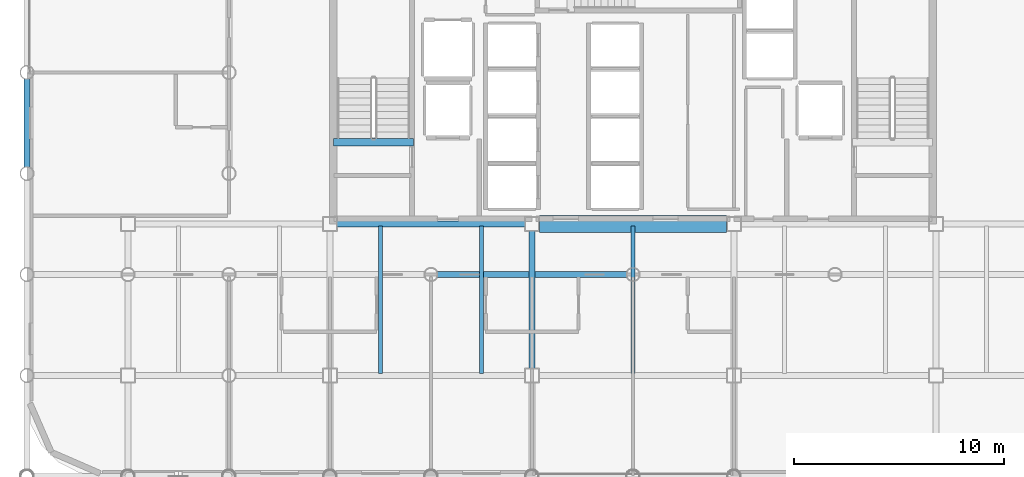
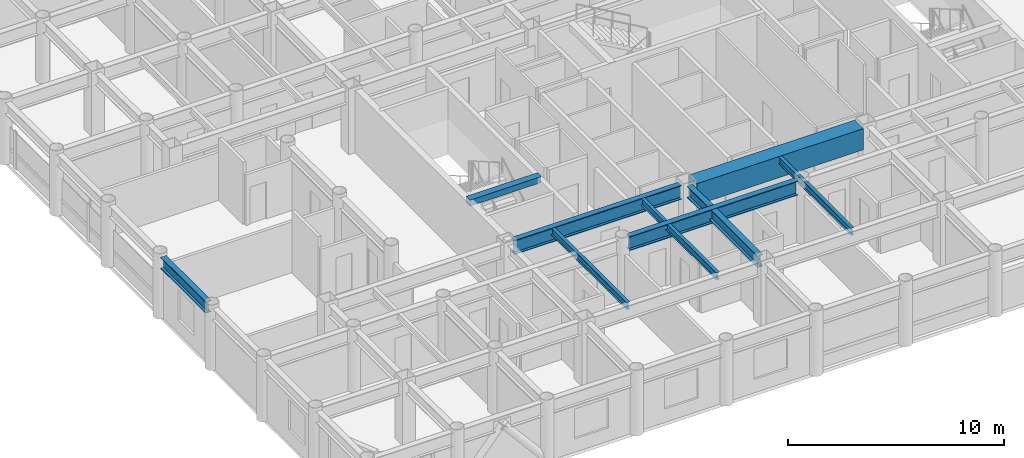
# One storey, part 3 of 22: 9 beams.
"""IFC4 building model written with IfcOpenShell, lengths in metres."""

from ifc_helpers import new_model, si_unit, direction, frame, origin, origin_2d, place, context, subcontext, project, spatial, rectangle, i_section, extrude, material, material_profile, profile_set, type_object, element, save


model = new_model("IFC4")

# Units and contexts
model_context = context("Model", 3, precision=1e-05, world=origin(), true_north=direction((0.0, 1.0)))
body_context = subcontext(model_context, "Body", "Model", "MODEL_VIEW")
ifc_project = project(units=[si_unit("LENGTHUNIT", "METRE"), si_unit("AREAUNIT", "SQUARE_METRE"), si_unit("VOLUMEUNIT", "CUBIC_METRE"), si_unit("PLANEANGLEUNIT", "RADIAN"), si_unit("MASSUNIT", "GRAM", prefix="KILO")], contexts=[model_context])

# Site, building, storey
site_placement = place(None, origin())
site = spatial("IfcSite", under=ifc_project, at=site_placement, CompositionType="ELEMENT")
building_placement = place(site_placement, origin())
building = spatial("IfcBuilding", under=site, at=building_placement, Name="Kallvorn Hotel Tower", CompositionType="ELEMENT")
storey_placement = place(building_placement, frame((0.0, 0.0, 113.699951171875)))
storey = spatial("IfcBuildingStorey", under=building, at=storey_placement, Name="L27", CompositionType="ELEMENT", Elevation=113.699951171875)

# Beams
ifc_material_1 = material(Name="Structural steel S355JR", Category="steel")
ifc_material_profile_1 = material_profile(ifc_material_1, i_section(OverallWidth=0.300048828125, OverallDepth=0.64990234375, WebThickness=0.01611328125, FlangeThickness=0.031005859375, at=origin_2d()), Name="HE 650 B")
ifc_profile_set_1 = profile_set([ifc_material_profile_1], Name="Structural steel S355JR")
beam_type_1 = type_object("IfcBeamType", Name="BM_HE650B", PredefinedType="BEAM", material=ifc_profile_set_1)
beam_1_placement = place(storey_placement, frame((-28.800048828125, -4.4951171875, 3.195068359375), z_axis=(0.0, 1.0, 0.0), x_axis=(-1.0, 0.0, 0.0)))
element("IfcBeam", 1, at=beam_1_placement, inside=storey, type_object=beam_type_1, Name="L28 Primary Y-Girder 76", PredefinedType="BEAM", context=body_context, shape_type="SweptSolid", body=[
    extrude(i_section(OverallWidth=0.300048828125, OverallDepth=0.64990234375, WebThickness=0.01611328125, FlangeThickness=0.031005859375, at=origin_2d()), origin(), (0.0, 0.0, 1.0), 4.190185546875),
])
beam_2_placement = place(storey_placement, frame((-4.800048828125, -14.074951171875, 3.195068359375), z_axis=(0.0, 1.0, 0.0), x_axis=(-1.0, 0.0, 0.0)))
element("IfcBeam", 2, at=beam_2_placement, inside=storey, type_object=beam_type_1, Name="L28 Primary Y-Girder 106", PredefinedType="BEAM", context=body_context, shape_type="SweptSolid", body=[
    extrude(i_section(OverallWidth=0.300048828125, OverallDepth=0.64990234375, WebThickness=0.01611328125, FlangeThickness=0.031005859375, at=origin_2d()), origin(), (0.0, 0.0, 1.0), 6.550048828125),
])
ifc_material_2 = material(Name="Structural steel S355JR", Category="steel")
ifc_material_profile_2 = material_profile(ifc_material_2, i_section(OverallWidth=0.300048828125, OverallDepth=0.800048828125, WebThickness=0.017578125, FlangeThickness=0.032958984375, at=origin_2d()), Name="HE 800 B")
ifc_profile_set_2 = profile_set([ifc_material_profile_2], Name="Structural steel S355JR")
beam_type_2 = type_object("IfcBeamType", Name="BM_HE800B", PredefinedType="BEAM", material=ifc_profile_set_2)
beam_3_placement = place(storey_placement, frame((-9.294921875, -9.60009765625, 3.1201171875), z_axis=(1.0, 0.0, 0.0), x_axis=(0.0, 1.0, 0.0)))
element("IfcBeam", 3, at=beam_3_placement, inside=storey, type_object=beam_type_2, Name="L28 Primary X-Girder 26", PredefinedType="BEAM", context=body_context, shape_type="SweptSolid", body=[
    extrude(i_section(OverallWidth=0.300048828125, OverallDepth=0.800048828125, WebThickness=0.017578125, FlangeThickness=0.032958984375, at=origin_2d()), origin(), (0.0, 0.0, 1.0), 8.989990234375),
])
beam_4_placement = place(storey_placement, frame((-14.074951171875, -7.199951171875, 3.1201171875), z_axis=(1.0, 0.0, 0.0), x_axis=(0.0, 1.0, 0.0)))
element("IfcBeam", 4, at=beam_4_placement, inside=storey, type_object=beam_type_2, Name="L28 Primary X-Girder 33", PredefinedType="BEAM", context=body_context, shape_type="SweptSolid", body=[
    extrude(i_section(OverallWidth=0.300048828125, OverallDepth=0.800048828125, WebThickness=0.017578125, FlangeThickness=0.032958984375, at=origin_2d()), origin(), (0.0, 0.0, 1.0), 8.949951171875),
])
ifc_material_3 = material(Name="Structural steel S355JR", Category="steel")
ifc_material_profile_3 = material_profile(ifc_material_3, i_section(OverallWidth=0.179931640625, OverallDepth=0.39990234375, WebThickness=0.008544921875, FlangeThickness=0.013427734375, at=origin_2d()), Name="IPE 400")
ifc_profile_set_3 = profile_set([ifc_material_profile_3], Name="Structural steel S355JR")
beam_type_3 = type_object("IfcBeamType", Name="BM_IPE400", PredefinedType="JOIST", material=ifc_profile_set_3)
for number, where, z_axis, x_axis, name in (
    (5, (-12.0, -14.300048828125, 3.320068359375), (0.0, 1.0, 0.0), (-1.0, 0.0, 0.0), "L28 Secondary Composite Joist 196"),
    (6, (-7.199951171875, -14.300048828125, 3.320068359375), (0.0, 1.0, 0.0), (-1.0, 0.0, 0.0), "L28 Secondary Composite Joist 198"),
    (7, (0.0, -14.300048828125, 3.320068359375), (0.0, 1.0, 0.0), (-1.0, 0.0, 0.0), "L28 Secondary Composite Joist 200"),
):
    element("IfcBeam", number, at=place(storey_placement, frame(where, z_axis=z_axis, x_axis=x_axis)), inside=storey, type_object=beam_type_3, Name=name, PredefinedType="JOIST", context=body_context, shape_type="SweptSolid", body=[
        extrude(i_section(OverallWidth=0.179931640625, OverallDepth=0.39990234375, WebThickness=0.008544921875, FlangeThickness=0.013427734375, at=origin_2d()), origin(), (0.0, 0.0, 1.0), 7.0),
    ])
ifc_material_4 = material(Name="Concrete C50/60", Category="concrete")
ifc_material_profile_4 = material_profile(ifc_material_4, rectangle(XDim=0.360107421875, YDim=0.340087890625, at=origin_2d()), Name="RC 360x340")
ifc_profile_set_4 = profile_set([ifc_material_profile_4], Name="Concrete C50/60")
beam_type_4 = type_object("IfcBeamType", Name="BM_RC_400x360", PredefinedType="BEAM", material=ifc_profile_set_4)
beam_5_placement = place(storey_placement, frame((-10.419921875, -3.31005859375, 3.35009765625), z_axis=(-1.0, 0.0, 0.0), x_axis=(0.0, -1.0, 0.0)))
element("IfcBeam", 8, at=beam_5_placement, inside=storey, type_object=beam_type_4, Name="L28 Stair ST1 Arrival Trimmer Beam", PredefinedType="BEAM", context=body_context, shape_type="SweptSolid", body=[
    extrude(rectangle(XDim=0.360107421875, YDim=0.340087890625, at=origin_2d()), origin(), (0.0, 0.0, 1.0), 3.820068359375),
])
ifc_material_5 = material(Name="Concrete C50/60", Category="concrete")
ifc_material_profile_5 = material_profile(ifc_material_5, rectangle(XDim=0.800048828125, YDim=1.199951171875, at=origin_2d()), Name="RC 800x1200")
ifc_profile_set_5 = profile_set([ifc_material_profile_5], Name="Concrete C50/60")
beam_type_5 = type_object("IfcBeamType", Name="BM_RC_800x1200", PredefinedType="T_BEAM", material=ifc_profile_set_5)
beam_6_placement = place(storey_placement, frame((-4.449951171875, -7.199951171875, 2.920166015625), z_axis=(1.0, 0.0, 0.0), x_axis=(0.0, 1.0, 0.0)))
element("IfcBeam", 9, at=beam_6_placement, inside=storey, type_object=beam_type_5, Name="L27 Core Coupling Beam South", PredefinedType="T_BEAM", context=body_context, shape_type="SweptSolid", body=[
    extrude(rectangle(XDim=0.800048828125, YDim=1.199951171875, at=origin_2d()), origin(), (0.0, 0.0, 1.0), 8.89990234375),
])

save(model, "model.ifc")
